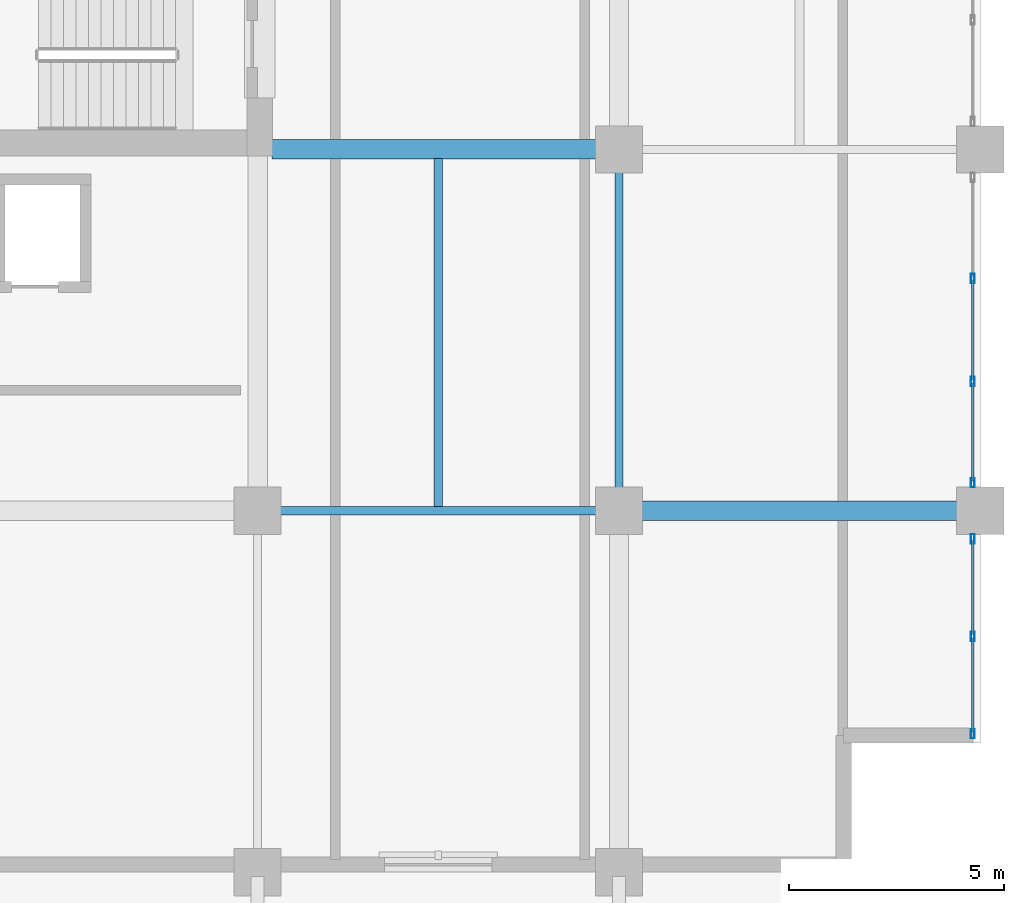
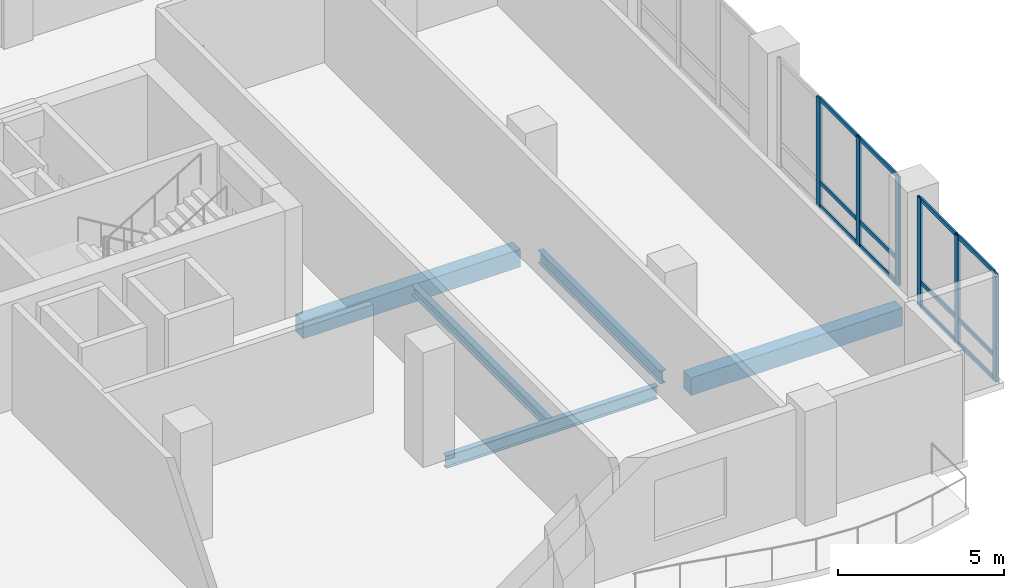
# One storey, part 3 of 22: 18 members, 5 beams, 2 elements without a shape of their own.
"""IFC4 building model written with IfcOpenShell, lengths in metres."""

from ifc_helpers import new_model, si_unit, direction, frame, origin, origin_2d, place, context, subcontext, project, spatial, rectangle, hollow_rectangle, i_section, extrude, material, layer, layer_set, material_profile, profile_set, type_object, element, aggregate, save


model = new_model("IFC4")

# Units and contexts
model_context = context("Model", 3, precision=1e-05, world=origin(), true_north=direction((0.0, 1.0)))
body_context = subcontext(model_context, "Body", "Model", "MODEL_VIEW")
ifc_project = project(units=[si_unit("LENGTHUNIT", "METRE"), si_unit("AREAUNIT", "SQUARE_METRE"), si_unit("VOLUMEUNIT", "CUBIC_METRE"), si_unit("PLANEANGLEUNIT", "RADIAN"), si_unit("MASSUNIT", "GRAM", prefix="KILO")], contexts=[model_context])

# Site, building, storey
site_placement = place(None, origin())
site = spatial("IfcSite", under=ifc_project, at=site_placement, CompositionType="ELEMENT")
building_placement = place(site_placement, origin())
building = spatial("IfcBuilding", under=site, at=building_placement, Name="Koriwani Terraces Tower", CompositionType="ELEMENT")
storey_placement = place(building_placement, frame((0.0, 0.0, 219.800048828125)))
storey = spatial("IfcBuildingStorey", under=building, at=storey_placement, Name="L54", CompositionType="ELEMENT", Elevation=219.800048828125)

# Beams
ifc_material_1 = material(Name="Concrete C50/60", Category="concrete")
ifc_material_profile_1 = material_profile(ifc_material_1, rectangle(XDim=0.449951171875, YDim=0.64990234375, at=origin_2d()), Name="Concrete C50/60", Category="LoadBearing")
ifc_profile_set_1 = profile_set([ifc_material_profile_1], Name="Concrete C50/60")
beam_type_1 = type_object("IfcBeamType", Name="BEAM_RC_GRID_450X650", PredefinedType="BEAM", material=ifc_profile_set_1)
beam_1_placement = place(storey_placement, frame((67.72998046875, 8.39990234375, -0.554931640625), z_axis=(1.0, 0.0, 0.0), x_axis=(0.0, 1.0, 0.0)))
element("IfcBeam", 1, at=beam_1_placement, inside=storey, type_object=beam_type_1, Name="L54 Grid Beam B (67.2-75.6m)", PredefinedType="BEAM", context=body_context, shape_type="SweptSolid", body=[
    extrude(rectangle(XDim=0.449951171875, YDim=0.64990234375, at=origin_2d()), origin(), (0.0, 0.0, 1.0), 7.340087890625),
])
beam_2_placement = place(storey_placement, frame((59.1298828125, 16.800048828125, -0.554931640625), z_axis=(1.0, 0.0, 0.0), x_axis=(0.0, 1.0, 0.0)))
element("IfcBeam", 2, at=beam_2_placement, inside=storey, type_object=beam_type_1, Name="L54 Grid Beam C (58.8-67.2m)", PredefinedType="BEAM", context=body_context, shape_type="SweptSolid", body=[
    extrude(rectangle(XDim=0.449951171875, YDim=0.64990234375, at=origin_2d()), origin(), (0.0, 0.0, 1.0), 7.5400390625),
])

# Curtain wall, members
ifc_material_2 = material(Name="Anodised Bronze Aluminium", Category="aluminium")
ifc_layer = layer(ifc_material_2, 0.219970703125, Name="Anodised Bronze Aluminium")
ifc_layer_set = layer_set([ifc_layer], Name="Anodised Bronze Aluminium")
curtain_wall_type = type_object("IfcCurtainWallType", Name="CW_SKY_LOUNGE", PredefinedType="NOTDEFINED", material=ifc_layer_set)
curtain_wall_1_placement = place(storey_placement, origin())
curtain_wall_1 = element("IfcCurtainWall", 3, at=curtain_wall_1_placement, inside=storey, type_object=curtain_wall_type, Name="L54 Unitised Curtain Wall (E_TIP) Bay 3", PredefinedType="NOTDEFINED")
ifc_material_profile_2 = material_profile(ifc_material_2, hollow_rectangle(XDim=0.0849609375, YDim=0.219970703125, WallThickness=0.008056640625, at=origin_2d()), Name="Anodised Bronze Aluminium", Category="LoadBearing")
ifc_profile_set_2 = profile_set([ifc_material_profile_2], Name="Anodised Bronze Aluminium")
member_type_1 = type_object("IfcMemberType", Name="CW_MULLION_220X85", PredefinedType="MULLION", material=ifc_profile_set_2)
member_1_placement = place(storey_placement, frame((75.425048828125, 13.796630859375, 0.0), z_axis=(0.0, 0.0, 1.0), x_axis=(1.0, 0.0, 0.0)))
member_1 = element("IfcMember", 4, at=member_1_placement, type_object=member_type_1, Name="CW-SKY mullion 2", PredefinedType="MULLION", context=body_context, shape_type="SweptSolid", body=[
    extrude(hollow_rectangle(XDim=0.0849609375, YDim=0.219970703125, WallThickness=0.008056640625, at=origin_2d()), origin(), (0.0, 0.0, 1.0), 3.969970703125),
])
member_2_placement = place(storey_placement, frame((75.425048828125, 11.4033203125, 0.0), z_axis=(0.0, 0.0, 1.0), x_axis=(1.0, 0.0, 0.0)))
member_2 = element("IfcMember", 5, at=member_2_placement, type_object=member_type_1, Name="CW-SKY mullion 3", PredefinedType="MULLION", context=body_context, shape_type="SweptSolid", body=[
    extrude(hollow_rectangle(XDim=0.0849609375, YDim=0.219970703125, WallThickness=0.008056640625, at=origin_2d()), origin(), (0.0, 0.0, 1.0), 3.969970703125),
])
member_3_placement = place(storey_placement, frame((75.425048828125, 9.052490234375, 0.0), z_axis=(0.0, 0.0, 1.0), x_axis=(1.0, 0.0, 0.0)))
member_3 = element("IfcMember", 6, at=member_3_placement, type_object=member_type_1, Name="CW-SKY mullion 4", PredefinedType="MULLION", context=body_context, shape_type="SweptSolid", body=[
    extrude(hollow_rectangle(XDim=0.0849609375, YDim=0.219970703125, WallThickness=0.008056640625, at=origin_2d()), origin(), (0.0, 0.0, 1.0), 3.969970703125),
])

curtain_wall_2_placement = place(storey_placement, origin())
curtain_wall_2 = element("IfcCurtainWall", 7, at=curtain_wall_2_placement, inside=storey, type_object=curtain_wall_type, Name="L54 Unitised Curtain Wall (E_TIP) Bay 4", PredefinedType="NOTDEFINED")
member_4_placement = place(storey_placement, frame((75.425048828125, 7.74755859375, 0.0), z_axis=(0.0, 0.0, 1.0), x_axis=(1.0, 0.0, 0.0)))
member_4 = element("IfcMember", 8, at=member_4_placement, type_object=member_type_1, Name="CW-SKY mullion 1", PredefinedType="MULLION", context=body_context, shape_type="SweptSolid", body=[
    extrude(hollow_rectangle(XDim=0.0849609375, YDim=0.219970703125, WallThickness=0.008056640625, at=origin_2d()), origin(), (0.0, 0.0, 1.0), 3.969970703125),
])
member_5_placement = place(storey_placement, frame((75.425048828125, 5.482421875, 0.0), z_axis=(0.0, 0.0, 1.0), x_axis=(1.0, 0.0, 0.0)))
member_5 = element("IfcMember", 9, at=member_5_placement, type_object=member_type_1, Name="CW-SKY mullion 2", PredefinedType="MULLION", context=body_context, shape_type="SweptSolid", body=[
    extrude(hollow_rectangle(XDim=0.0849609375, YDim=0.219970703125, WallThickness=0.008056640625, at=origin_2d()), origin(), (0.0, 0.0, 1.0), 3.969970703125),
])
member_6_placement = place(storey_placement, frame((75.425048828125, 3.217529296875, 0.0), z_axis=(0.0, 0.0, 1.0), x_axis=(1.0, 0.0, 0.0)))
member_6 = element("IfcMember", 10, at=member_6_placement, type_object=member_type_1, Name="CW-SKY mullion 3", PredefinedType="MULLION", context=body_context, shape_type="SweptSolid", body=[
    extrude(hollow_rectangle(XDim=0.0849609375, YDim=0.219970703125, WallThickness=0.008056640625, at=origin_2d()), origin(), (0.0, 0.0, 1.0), 3.969970703125),
])

# Member
ifc_material_profile_3 = material_profile(ifc_material_2, hollow_rectangle(XDim=0.06494140625, YDim=0.14990234375, WallThickness=0.0048828125, at=origin_2d()), Name="Anodised Bronze Aluminium", Category="LoadBearing")
ifc_profile_set_3 = profile_set([ifc_material_profile_3], Name="Anodised Bronze Aluminium")
member_type_2 = type_object("IfcMemberType", Name="CW_TRANSOM_150X65", PredefinedType="USERDEFINED", material=ifc_profile_set_3)
member_7_placement = place(storey_placement, frame((75.425048828125, 13.754150390625, 0.032470703125), z_axis=(0.0, -1.0, 0.0), x_axis=(1.0, 0.0, 0.0)))
member_7 = element("IfcMember", 11, at=member_7_placement, type_object=member_type_2, Name="CW-SKY transom 2.1", ObjectType="TRANSOM", PredefinedType="USERDEFINED", context=body_context, shape_type="SweptSolid", body=[
    extrude(hollow_rectangle(XDim=0.06494140625, YDim=0.14990234375, WallThickness=0.0048828125, at=origin_2d()), origin(), (0.0, 0.0, 1.0), 2.308349609375),
])

member_8_placement = place(storey_placement, frame((75.425048828125, 13.754150390625, 0.89990234375), z_axis=(0.0, -1.0, 0.0), x_axis=(1.0, 0.0, 0.0)))
member_8 = element("IfcMember", 12, at=member_8_placement, type_object=member_type_2, Name="CW-SKY transom 2.2", ObjectType="TRANSOM", PredefinedType="USERDEFINED", context=body_context, shape_type="SweptSolid", body=[
    extrude(hollow_rectangle(XDim=0.06494140625, YDim=0.14990234375, WallThickness=0.0048828125, at=origin_2d()), origin(), (0.0, 0.0, 1.0), 2.308349609375),
])

member_9_placement = place(storey_placement, frame((75.425048828125, 13.754150390625, 3.9375), z_axis=(0.0, -1.0, 0.0), x_axis=(1.0, 0.0, 0.0)))
member_9 = element("IfcMember", 13, at=member_9_placement, type_object=member_type_2, Name="CW-SKY transom 2.3", ObjectType="TRANSOM", PredefinedType="USERDEFINED", context=body_context, shape_type="SweptSolid", body=[
    extrude(hollow_rectangle(XDim=0.06494140625, YDim=0.14990234375, WallThickness=0.0048828125, at=origin_2d()), origin(), (0.0, 0.0, 1.0), 2.308349609375),
])

member_10_placement = place(storey_placement, frame((75.425048828125, 11.36083984375, 0.032470703125), z_axis=(0.0, -1.0, 0.0), x_axis=(1.0, 0.0, 0.0)))
member_10 = element("IfcMember", 14, at=member_10_placement, type_object=member_type_2, Name="CW-SKY transom 3.1", ObjectType="TRANSOM", PredefinedType="USERDEFINED", context=body_context, shape_type="SweptSolid", body=[
    extrude(hollow_rectangle(XDim=0.06494140625, YDim=0.14990234375, WallThickness=0.0048828125, at=origin_2d()), origin(), (0.0, 0.0, 1.0), 2.265869140625),
])

member_11_placement = place(storey_placement, frame((75.425048828125, 11.36083984375, 0.89990234375), z_axis=(0.0, -1.0, 0.0), x_axis=(1.0, 0.0, 0.0)))
member_11 = element("IfcMember", 15, at=member_11_placement, type_object=member_type_2, Name="CW-SKY transom 3.2", ObjectType="TRANSOM", PredefinedType="USERDEFINED", context=body_context, shape_type="SweptSolid", body=[
    extrude(hollow_rectangle(XDim=0.06494140625, YDim=0.14990234375, WallThickness=0.0048828125, at=origin_2d()), origin(), (0.0, 0.0, 1.0), 2.265869140625),
])

member_12_placement = place(storey_placement, frame((75.425048828125, 11.36083984375, 3.9375), z_axis=(0.0, -1.0, 0.0), x_axis=(1.0, 0.0, 0.0)))
member_12 = element("IfcMember", 16, at=member_12_placement, type_object=member_type_2, Name="CW-SKY transom 3.3", ObjectType="TRANSOM", PredefinedType="USERDEFINED", context=body_context, shape_type="SweptSolid", body=[
    extrude(hollow_rectangle(XDim=0.06494140625, YDim=0.14990234375, WallThickness=0.0048828125, at=origin_2d()), origin(), (0.0, 0.0, 1.0), 2.265869140625),
])

aggregate(curtain_wall_1, [member_1, member_2, member_3, member_7, member_8, member_9, member_10, member_11, member_12])

member_13_placement = place(storey_placement, frame((75.425048828125, 7.705078125, 0.032470703125), z_axis=(0.0, -1.0, 0.0), x_axis=(1.0, 0.0, 0.0)))
member_13 = element("IfcMember", 17, at=member_13_placement, type_object=member_type_2, Name="CW-SKY transom 1.1", ObjectType="TRANSOM", PredefinedType="USERDEFINED", context=body_context, shape_type="SweptSolid", body=[
    extrude(hollow_rectangle(XDim=0.06494140625, YDim=0.14990234375, WallThickness=0.0048828125, at=origin_2d()), origin(), (0.0, 0.0, 1.0), 2.18017578125),
])

member_14_placement = place(storey_placement, frame((75.425048828125, 7.705078125, 0.89990234375), z_axis=(0.0, -1.0, 0.0), x_axis=(1.0, 0.0, 0.0)))
member_14 = element("IfcMember", 18, at=member_14_placement, type_object=member_type_2, Name="CW-SKY transom 1.2", ObjectType="TRANSOM", PredefinedType="USERDEFINED", context=body_context, shape_type="SweptSolid", body=[
    extrude(hollow_rectangle(XDim=0.06494140625, YDim=0.14990234375, WallThickness=0.0048828125, at=origin_2d()), origin(), (0.0, 0.0, 1.0), 2.18017578125),
])

member_15_placement = place(storey_placement, frame((75.425048828125, 7.705078125, 3.9375), z_axis=(0.0, -1.0, 0.0), x_axis=(1.0, 0.0, 0.0)))
member_15 = element("IfcMember", 19, at=member_15_placement, type_object=member_type_2, Name="CW-SKY transom 1.3", ObjectType="TRANSOM", PredefinedType="USERDEFINED", context=body_context, shape_type="SweptSolid", body=[
    extrude(hollow_rectangle(XDim=0.06494140625, YDim=0.14990234375, WallThickness=0.0048828125, at=origin_2d()), origin(), (0.0, 0.0, 1.0), 2.18017578125),
])

member_16_placement = place(storey_placement, frame((75.425048828125, 5.43994140625, 0.032470703125), z_axis=(0.0, -1.0, 0.0), x_axis=(1.0, 0.0, 0.0)))
member_16 = element("IfcMember", 20, at=member_16_placement, type_object=member_type_2, Name="CW-SKY transom 2.1", ObjectType="TRANSOM", PredefinedType="USERDEFINED", context=body_context, shape_type="SweptSolid", body=[
    extrude(hollow_rectangle(XDim=0.06494140625, YDim=0.14990234375, WallThickness=0.0048828125, at=origin_2d()), origin(), (0.0, 0.0, 1.0), 2.179931640625),
])

member_17_placement = place(storey_placement, frame((75.425048828125, 5.43994140625, 0.89990234375), z_axis=(0.0, -1.0, 0.0), x_axis=(1.0, 0.0, 0.0)))
member_17 = element("IfcMember", 21, at=member_17_placement, type_object=member_type_2, Name="CW-SKY transom 2.2", ObjectType="TRANSOM", PredefinedType="USERDEFINED", context=body_context, shape_type="SweptSolid", body=[
    extrude(hollow_rectangle(XDim=0.06494140625, YDim=0.14990234375, WallThickness=0.0048828125, at=origin_2d()), origin(), (0.0, 0.0, 1.0), 2.179931640625),
])

member_18_placement = place(storey_placement, frame((75.425048828125, 5.43994140625, 3.9375), z_axis=(0.0, -1.0, 0.0), x_axis=(1.0, 0.0, 0.0)))
member_18 = element("IfcMember", 22, at=member_18_placement, type_object=member_type_2, Name="CW-SKY transom 2.3", ObjectType="TRANSOM", PredefinedType="USERDEFINED", context=body_context, shape_type="SweptSolid", body=[
    extrude(hollow_rectangle(XDim=0.06494140625, YDim=0.14990234375, WallThickness=0.0048828125, at=origin_2d()), origin(), (0.0, 0.0, 1.0), 2.179931640625),
])

aggregate(curtain_wall_2, [member_4, member_5, member_6, member_13, member_14, member_15, member_16, member_17, member_18])

# Beams
ifc_material_3 = material(Name="Steel ASTM A572 Grade 50", Category="steel")
ifc_material_profile_4 = material_profile(ifc_material_3, i_section(OverallWidth=0.205078125, OverallDepth=0.35400390625, WebThickness=0.009521484375, FlangeThickness=0.016845703125, at=origin_2d()), Name="Steel ASTM A572 Grade 50", Category="LoadBearing")
ifc_profile_set_4 = profile_set([ifc_material_profile_4], Name="Steel ASTM A572 Grade 50")
beam_type_2 = type_object("IfcBeamType", Name="STEEL_BEAM_W360X79", PredefinedType="JOIST", material=ifc_profile_set_4)
beam_3_placement = place(storey_placement, frame((63.0, 8.486572265625, -0.406982421875), z_axis=(0.0, 1.0, 0.0), x_axis=(-1.0, 0.0, 0.0)))
element("IfcBeam", 23, at=beam_3_placement, inside=storey, type_object=beam_type_2, Name="L54 Secondary Steel Floor Joist X=63.0m", PredefinedType="JOIST", context=body_context, shape_type="SweptSolid", body=[
    extrude(i_section(OverallWidth=0.205078125, OverallDepth=0.35400390625, WebThickness=0.009521484375, FlangeThickness=0.016845703125, at=origin_2d()), origin(), (0.0, 0.0, 1.0), 8.098388671875),
])
ifc_material_profile_5 = material_profile(ifc_material_3, i_section(OverallWidth=0.193115234375, OverallDepth=0.462890625, WebThickness=0.0107421875, FlangeThickness=0.017333984375, at=origin_2d()), Name="Steel ASTM A572 Grade 50", Category="LoadBearing")
ifc_profile_set_5 = profile_set([ifc_material_profile_5], Name="Steel ASTM A572 Grade 50")
beam_type_3 = type_object("IfcBeamType", Name="STEEL_BEAM_W460X113", PredefinedType="BEAM", material=ifc_profile_set_5)
beam_4_placement = place(storey_placement, frame((59.330078125, 8.39990234375, -0.461669921875), z_axis=(1.0, 0.0, 0.0), x_axis=(0.0, 1.0, 0.0)))
element("IfcBeam", 24, at=beam_4_placement, inside=storey, type_object=beam_type_3, Name="L54 Grid Beam B (58.8-67.2m)", PredefinedType="BEAM", context=body_context, shape_type="SweptSolid", body=[
    extrude(i_section(OverallWidth=0.193115234375, OverallDepth=0.462890625, WebThickness=0.0107421875, FlangeThickness=0.017333984375, at=origin_2d()), origin(), (0.0, 0.0, 1.0), 7.33984375),
])
beam_5_placement = place(storey_placement, frame((67.199951171875, 8.929931640625, -0.461669921875), z_axis=(0.0, 1.0, 0.0), x_axis=(-1.0, 0.0, 0.0)))
element("IfcBeam", 25, at=beam_5_placement, inside=storey, type_object=beam_type_3, Name="L54 Grid Beam 9 (8.4-16.8m)", PredefinedType="BEAM", context=body_context, shape_type="SweptSolid", body=[
    extrude(i_section(OverallWidth=0.193115234375, OverallDepth=0.462890625, WebThickness=0.0107421875, FlangeThickness=0.017333984375, at=origin_2d()), origin(), (0.0, 0.0, 1.0), 7.340087890625),
])

save(model, "model.ifc")
